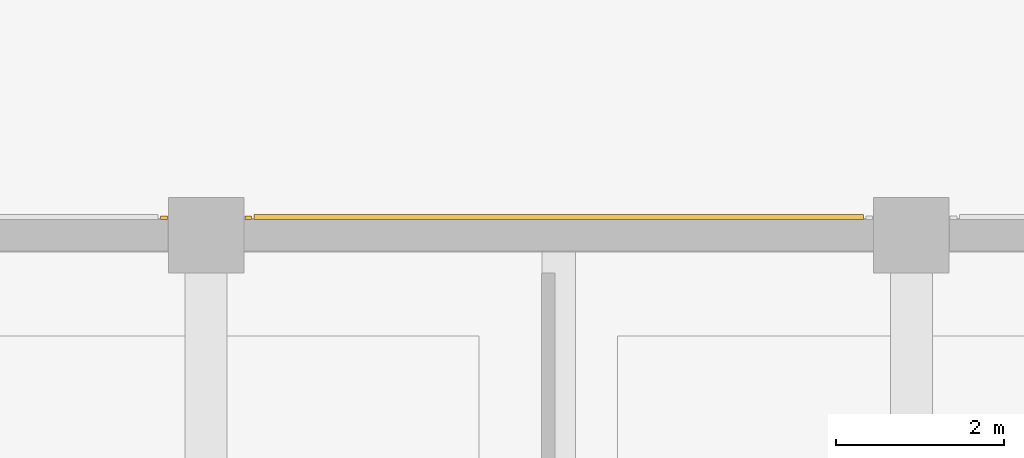
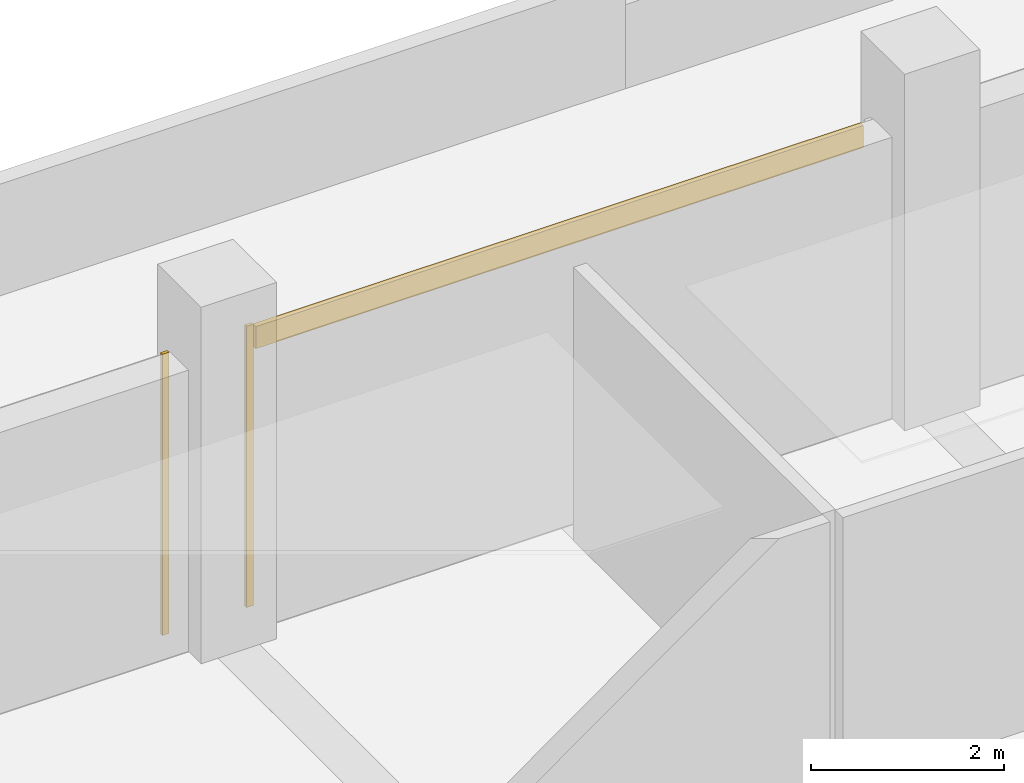
# One storey, part 56 of 59: 3 coverings.
"""IFC4 building model written with IfcOpenShell, lengths in metres."""

from ifc_helpers import new_model, si_unit, direction, frame, origin, origin_2d, place, context, subcontext, project, spatial, rectangle, extrude, material, layer, layer_set, type_object, element, save


model = new_model("IFC4")

# Units and contexts
model_context = context("Model", 3, precision=1e-05, world=origin(), true_north=direction((0.0, 1.0)))
body_context = subcontext(model_context, "Body", "Model", "MODEL_VIEW")
ifc_project = project(units=[si_unit("LENGTHUNIT", "METRE"), si_unit("AREAUNIT", "SQUARE_METRE"), si_unit("VOLUMEUNIT", "CUBIC_METRE"), si_unit("PLANEANGLEUNIT", "RADIAN"), si_unit("MASSUNIT", "GRAM", prefix="KILO")], contexts=[model_context])

# Site, building, storey
site_placement = place(None, origin())
site = spatial("IfcSite", under=ifc_project, at=site_placement, CompositionType="ELEMENT")
building_placement = place(site_placement, origin())
building = spatial("IfcBuilding", under=site, at=building_placement, Name="Telukmera Botanical Conservatory", CompositionType="ELEMENT")
storey_placement = place(building_placement, frame((0.0, 0.0, 15.0)))
storey = spatial("IfcBuildingStorey", under=building, at=storey_placement, Name="L03", CompositionType="ELEMENT", Elevation=15.0)

# Coverings
ifc_material_1 = material(Name="Granite-faced precast concrete C40/50", Category="masonry")
ifc_layer_1 = layer(ifc_material_1, 0.0400390625)
ifc_layer_set_1 = layer_set([ifc_layer_1], Name="Granite-faced precast concrete C40/50")
covering_type_1 = type_object("IfcCoveringType", Name="Granite Precast Column Pier Reveal Casing", PredefinedType="CLADDING", material=ifc_layer_set_1)
for number, where, z_axis, x_axis, name in (
    (1, (75.097900390625, 43.010009765625, 0.0), (0.0, 0.0, 1.0), (1.0, 0.0, 0.0), "Granite Pier Reveal V4:L03:N3 R"),
    (2, (76.10205078125, 43.010009765625, 0.0), (0.0, 0.0, 1.0), (1.0, 0.0, 0.0), "Granite Pier Reveal V4:L03:N4 L"),
):
    element("IfcCovering", number, at=place(storey_placement, frame(where, z_axis=z_axis, x_axis=x_axis)), inside=storey, type_object=covering_type_1, Name=name, PredefinedType="CLADDING", context=body_context, shape_type="SweptSolid", body=[
        extrude(rectangle(XDim=0.080078125, YDim=0.0400390625, at=origin_2d()), origin(), (0.0, 0.0, 1.0), 3.550048828125),
    ])
ifc_material_2 = material(Name="Terracotta-faced precast concrete C40/50", Category="masonry")
ifc_layer_2 = layer(ifc_material_2, 0.06005859375)
ifc_layer_set_2 = layer_set([ifc_layer_2], Name="Terracotta-faced precast concrete C40/50")
covering_type_2 = type_object("IfcCoveringType", Name="Polychrome Terracotta Facade Band Cladding", PredefinedType="CLADDING", material=ifc_layer_set_2)
covering_placement = place(storey_placement, frame((79.800048828125, 43.02001953125, 3.22998046875), z_axis=(0.0, 0.0, 1.0), x_axis=(1.0, 0.0, 0.0)))
element("IfcCovering", 3, at=covering_placement, inside=storey, type_object=covering_type_2, Name="Polychrome Terracotta Band V4:L03:N4", PredefinedType="CLADDING", context=body_context, shape_type="SweptSolid", body=[
    extrude(rectangle(XDim=7.256103515625, YDim=0.06005859375, at=origin_2d()), origin(), (0.0, 0.0, 1.0), 0.280029296875),
])

save(model, "model.ifc")
